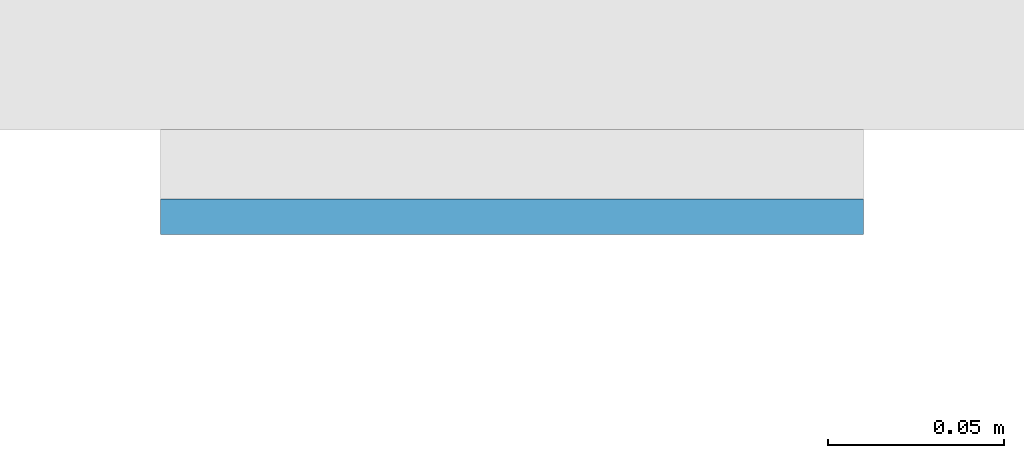
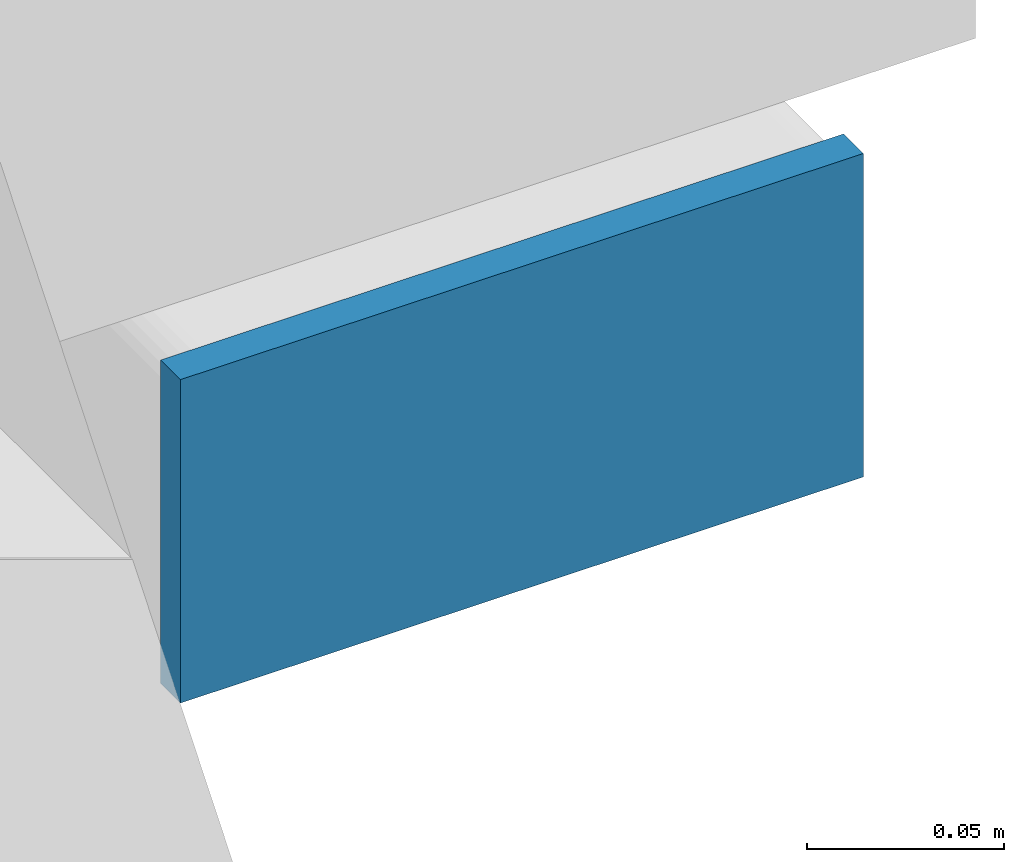
# One storey, part 10 of 20: 1 plate.
"""IFC4 building model written with IfcOpenShell, lengths in metres."""

from ifc_helpers import new_model, si_unit, direction, frame, origin, origin_2d, place, context, subcontext, project, spatial, rectangle, extrude, material, layer, layer_set, type_object, element, save


model = new_model("IFC4")

# Units and contexts
model_context = context("Model", 3, precision=1e-05, world=origin(), true_north=direction((0.0, 1.0)))
body_context = subcontext(model_context, "Body", "Model", "MODEL_VIEW")
ifc_project = project(units=[si_unit("LENGTHUNIT", "METRE"), si_unit("AREAUNIT", "SQUARE_METRE"), si_unit("VOLUMEUNIT", "CUBIC_METRE"), si_unit("PLANEANGLEUNIT", "RADIAN"), si_unit("MASSUNIT", "GRAM", prefix="KILO")], contexts=[model_context])

# Site, building, storey
site_placement = place(None, origin())
site = spatial("IfcSite", under=ifc_project, at=site_placement, CompositionType="ELEMENT")
building_placement = place(site_placement, origin())
building = spatial("IfcBuilding", under=site, at=building_placement, Name="Cleftline Residences", CompositionType="ELEMENT")
storey_placement = place(building_placement, frame((0.0, 0.0, 214.60009765625)))
storey = spatial("IfcBuildingStorey", under=building, at=storey_placement, Name="L56", CompositionType="ELEMENT", Elevation=214.60009765625)

# Plate
ifc_material = material(Name="Steel S355, hot-dip galvanised", Category="steel")
ifc_layer = layer(ifc_material, 0.010009765625)
ifc_layer_set = layer_set([ifc_layer], Name="BAGUETTE CARRIER END PLATE 200X100X10")
plate_type = type_object("IfcPlateType", Name="BAGUETTE CARRIER END PLATE 200X100X10", PredefinedType="USERDEFINED", material=ifc_layer_set)
plate_placement = place(storey_placement, frame((66.85009765625, 3.695068359375, -0.10009765625), z_axis=(0.0, 0.0, 1.0), x_axis=(1.0, 0.0, 0.0)))
element("IfcPlate", 1, at=plate_placement, inside=storey, type_object=plate_type, Name="Baguette carrier end plate", ObjectType="BAGUETTE CARRIER END PLATE", PredefinedType="USERDEFINED", context=body_context, shape_type="SweptSolid", body=[
    extrude(rectangle(XDim=0.199951171875, YDim=0.010009765625, at=origin_2d()), origin(), (0.0, 0.0, 1.0), 0.10009765625),
])

save(model, "model.ifc")
